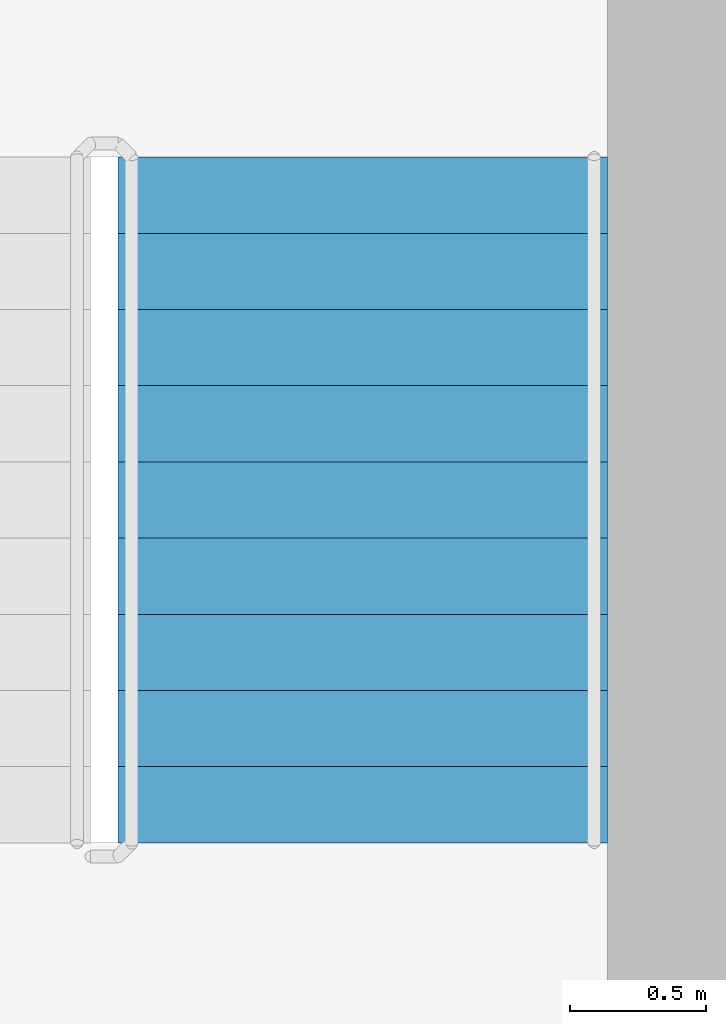
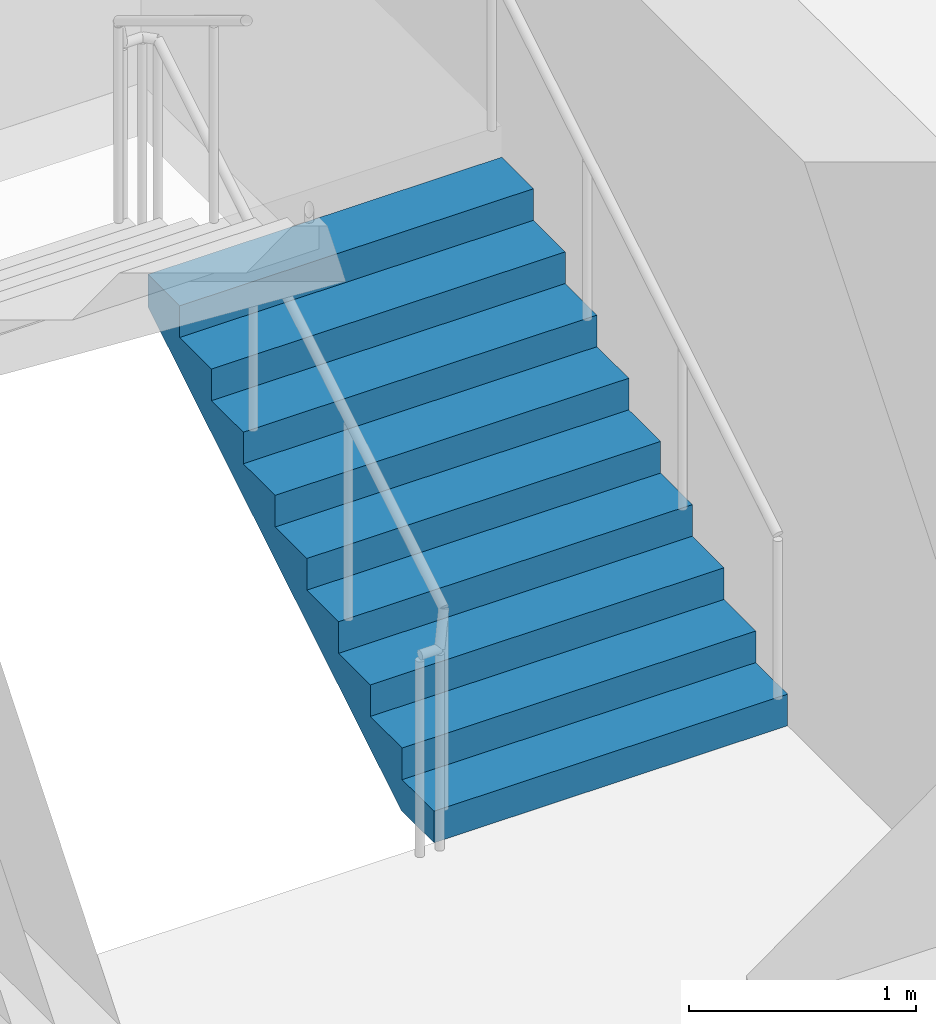
# One storey, part 10 of 17: 1 stair flight, 1 element without a shape of its own.
"""IFC4 building model written with IfcOpenShell, lengths in metres."""

from ifc_helpers import new_model, si_unit, direction, frame, origin, place, context, subcontext, project, spatial, triangles, source, transform, mapped, material, type_object, element, aggregate, save


model = new_model("IFC4")

# Units and contexts
model_context = context("Model", 3, precision=1e-05, world=origin(), true_north=direction((0.0, 1.0)))
body_context = subcontext(model_context, "Body", "Model", "MODEL_VIEW")
ifc_project = project(units=[si_unit("LENGTHUNIT", "METRE"), si_unit("AREAUNIT", "SQUARE_METRE"), si_unit("VOLUMEUNIT", "CUBIC_METRE"), si_unit("PLANEANGLEUNIT", "RADIAN"), si_unit("MASSUNIT", "GRAM", prefix="KILO")], contexts=[model_context])

# Site, building, storey
site_placement = place(None, origin())
site = spatial("IfcSite", under=ifc_project, at=site_placement, CompositionType="ELEMENT")
building_placement = place(site_placement, origin())
building = spatial("IfcBuilding", under=site, at=building_placement, Name="Kilnfold Tower and Market Hall", CompositionType="ELEMENT")
storey_placement = place(building_placement, frame((0.0, 0.0, 305.199951171875)))
storey = spatial("IfcBuildingStorey", under=building, at=storey_placement, Name="L76", CompositionType="ELEMENT", Elevation=305.199951171875)

# Stair, stair flight
ifc_material_1 = material(Name="Concrete C40/50", Category="concrete")
stair_type = type_object("IfcStairType", Name="CORE STAIR 1800", PredefinedType="HALF_TURN_STAIR", material=ifc_material_1)
stair_placement = place(storey_placement, origin())
stair = element("IfcStair", 1, at=stair_placement, inside=storey, type_object=stair_type, Name="L76 ST2", PredefinedType="HALF_TURN_STAIR")
ifc_material_2 = material(Name="Concrete C40/50", Category="concrete")
stair_flight_type = type_object("IfcStairFlightType", Name="CORE STAIR FLIGHT 1800", PredefinedType="STRAIGHT", material=ifc_material_2)
shared_shape = source(origin(), body_context, "Body", "Tessellation", [
    triangles([(0.0, 0.89990234375, 0.0), (0.0, 0.78759765625, 0.0), (0.0, 0.675048828125, 0.0), (0.0, 0.5625, 0.0), (0.0, 0.449951171875, 0.0), (0.0, 0.33740234375, 0.0), (0.0, 0.22509765625, 0.0), (0.0, 0.112548828125, 0.0), (0.0, 0.0, 0.0), (0.0, -0.112548828125, 0.0), (0.0, -0.22509765625, 0.0), (0.0, -0.33740234375, 0.0), (0.0, -0.449951171875, 0.0), (0.0, -0.5625, 0.0), (0.0, -0.675048828125, 0.0), (0.0, -0.78759765625, 0.0), (0.0, -0.89990234375, 0.0), (0.0, 0.89990234375, 0.169921875), (0.0, 0.78759765625, 0.169921875), (0.0, 0.675048828125, 0.169921875), (0.0, 0.5625, 0.169921875), (0.0, 0.449951171875, 0.169921875), (0.0, 0.33740234375, 0.169921875), (0.0, 0.22509765625, 0.169921875), (0.0, 0.112548828125, 0.169921875), (0.0, 0.0, 0.169921875), (0.0, -0.112548828125, 0.169921875), (0.0, -0.22509765625, 0.169921875), (0.0, -0.33740234375, 0.169921875), (0.0, -0.449951171875, 0.169921875), (0.0, -0.5625, 0.169921875), (0.0, -0.675048828125, 0.169921875), (0.0, -0.78759765625, 0.169921875), (0.0, -0.89990234375, 0.169921875), (0.280029296875, 0.89990234375, 0.169921875), (0.280029296875, 0.78759765625, 0.169921875), (0.280029296875, 0.675048828125, 0.169921875), (0.280029296875, 0.5625, 0.169921875), (0.280029296875, 0.449951171875, 0.169921875), (0.280029296875, 0.33740234375, 0.169921875), (0.280029296875, 0.22509765625, 0.169921875), (0.280029296875, 0.112548828125, 0.169921875), (0.280029296875, 0.0, 0.169921875), (0.280029296875, -0.112548828125, 0.169921875), (0.280029296875, -0.22509765625, 0.169921875), (0.280029296875, -0.33740234375, 0.169921875), (0.280029296875, -0.449951171875, 0.169921875), (0.280029296875, -0.5625, 0.169921875), (0.280029296875, -0.675048828125, 0.169921875), (0.280029296875, -0.78759765625, 0.169921875), (0.280029296875, -0.89990234375, 0.169921875), (0.280029296875, 0.89990234375, 0.340087890625), (0.280029296875, 0.78759765625, 0.340087890625), (0.280029296875, 0.675048828125, 0.340087890625), (0.280029296875, 0.5625, 0.340087890625), (0.280029296875, 0.449951171875, 0.340087890625), (0.280029296875, 0.33740234375, 0.340087890625), (0.280029296875, 0.22509765625, 0.340087890625), (0.280029296875, 0.112548828125, 0.340087890625), (0.280029296875, 0.0, 0.340087890625), (0.280029296875, -0.112548828125, 0.340087890625), (0.280029296875, -0.22509765625, 0.340087890625), (0.280029296875, -0.33740234375, 0.340087890625), (0.280029296875, -0.449951171875, 0.340087890625), (0.280029296875, -0.5625, 0.340087890625), (0.280029296875, -0.675048828125, 0.340087890625), (0.280029296875, -0.78759765625, 0.340087890625), (0.280029296875, -0.89990234375, 0.340087890625), (0.56005859375, 0.89990234375, 0.340087890625), (0.56005859375, 0.78759765625, 0.340087890625), (0.56005859375, 0.675048828125, 0.340087890625), (0.56005859375, 0.5625, 0.340087890625), (0.56005859375, 0.449951171875, 0.340087890625), (0.56005859375, 0.33740234375, 0.340087890625), (0.56005859375, 0.22509765625, 0.340087890625), (0.56005859375, 0.112548828125, 0.340087890625), (0.56005859375, 0.0, 0.340087890625), (0.56005859375, -0.112548828125, 0.340087890625), (0.56005859375, -0.22509765625, 0.340087890625), (0.56005859375, -0.33740234375, 0.340087890625), (0.56005859375, -0.449951171875, 0.340087890625), (0.56005859375, -0.5625, 0.340087890625), (0.56005859375, -0.675048828125, 0.340087890625), (0.56005859375, -0.78759765625, 0.340087890625), (0.56005859375, -0.89990234375, 0.340087890625), (0.56005859375, 0.89990234375, 0.510009765625), (0.56005859375, 0.78759765625, 0.510009765625), (0.56005859375, 0.675048828125, 0.510009765625), (0.56005859375, 0.5625, 0.510009765625), (0.56005859375, 0.449951171875, 0.510009765625), (0.56005859375, 0.33740234375, 0.510009765625), (0.56005859375, 0.22509765625, 0.510009765625), (0.56005859375, 0.112548828125, 0.510009765625), (0.56005859375, 0.0, 0.510009765625), (0.56005859375, -0.112548828125, 0.510009765625), (0.56005859375, -0.22509765625, 0.510009765625), (0.56005859375, -0.33740234375, 0.510009765625), (0.56005859375, -0.449951171875, 0.510009765625), (0.56005859375, -0.5625, 0.510009765625), (0.56005859375, -0.675048828125, 0.510009765625), (0.56005859375, -0.78759765625, 0.510009765625), (0.56005859375, -0.89990234375, 0.510009765625), (0.840087890625, 0.89990234375, 0.510009765625), (0.840087890625, 0.78759765625, 0.510009765625), (0.840087890625, 0.675048828125, 0.510009765625), (0.840087890625, 0.5625, 0.510009765625), (0.840087890625, 0.449951171875, 0.510009765625), (0.840087890625, 0.33740234375, 0.510009765625), (0.840087890625, 0.22509765625, 0.510009765625), (0.840087890625, 0.112548828125, 0.510009765625), (0.840087890625, 0.0, 0.510009765625), (0.840087890625, -0.112548828125, 0.510009765625), (0.840087890625, -0.22509765625, 0.510009765625), (0.840087890625, -0.33740234375, 0.510009765625), (0.840087890625, -0.449951171875, 0.510009765625), (0.840087890625, -0.5625, 0.510009765625), (0.840087890625, -0.675048828125, 0.510009765625), (0.840087890625, -0.78759765625, 0.510009765625), (0.840087890625, -0.89990234375, 0.510009765625), (0.840087890625, 0.89990234375, 0.679931640625), (0.840087890625, 0.78759765625, 0.679931640625), (0.840087890625, 0.675048828125, 0.679931640625), (0.840087890625, 0.5625, 0.679931640625), (0.840087890625, 0.449951171875, 0.679931640625), (0.840087890625, 0.33740234375, 0.679931640625), (0.840087890625, 0.22509765625, 0.679931640625), (0.840087890625, 0.112548828125, 0.679931640625), (0.840087890625, 0.0, 0.679931640625), (0.840087890625, -0.112548828125, 0.679931640625), (0.840087890625, -0.22509765625, 0.679931640625), (0.840087890625, -0.33740234375, 0.679931640625), (0.840087890625, -0.449951171875, 0.679931640625), (0.840087890625, -0.5625, 0.679931640625), (0.840087890625, -0.675048828125, 0.679931640625), (0.840087890625, -0.78759765625, 0.679931640625), (0.840087890625, -0.89990234375, 0.679931640625), (1.1201171875, 0.89990234375, 0.679931640625), (1.1201171875, 0.78759765625, 0.679931640625), (1.1201171875, 0.675048828125, 0.679931640625), (1.1201171875, 0.5625, 0.679931640625), (1.1201171875, 0.449951171875, 0.679931640625), (1.1201171875, 0.33740234375, 0.679931640625), (1.1201171875, 0.22509765625, 0.679931640625), (1.1201171875, 0.112548828125, 0.679931640625), (1.1201171875, 0.0, 0.679931640625), (1.1201171875, -0.112548828125, 0.679931640625), (1.1201171875, -0.22509765625, 0.679931640625), (1.1201171875, -0.33740234375, 0.679931640625), (1.1201171875, -0.449951171875, 0.679931640625), (1.1201171875, -0.5625, 0.679931640625), (1.1201171875, -0.675048828125, 0.679931640625), (1.1201171875, -0.78759765625, 0.679931640625), (1.1201171875, -0.89990234375, 0.679931640625), (1.1201171875, 0.89990234375, 0.85009765625), (1.1201171875, 0.78759765625, 0.85009765625), (1.1201171875, 0.675048828125, 0.85009765625), (1.1201171875, 0.5625, 0.85009765625), (1.1201171875, 0.449951171875, 0.85009765625), (1.1201171875, 0.33740234375, 0.85009765625), (1.1201171875, 0.22509765625, 0.85009765625), (1.1201171875, 0.112548828125, 0.85009765625), (1.1201171875, 0.0, 0.85009765625), (1.1201171875, -0.112548828125, 0.85009765625), (1.1201171875, -0.22509765625, 0.85009765625), (1.1201171875, -0.33740234375, 0.85009765625), (1.1201171875, -0.449951171875, 0.85009765625), (1.1201171875, -0.5625, 0.85009765625), (1.1201171875, -0.675048828125, 0.85009765625), (1.1201171875, -0.78759765625, 0.85009765625), (1.1201171875, -0.89990234375, 0.85009765625), (1.39990234375, 0.89990234375, 0.85009765625), (1.39990234375, 0.78759765625, 0.85009765625), (1.39990234375, 0.675048828125, 0.85009765625), (1.39990234375, 0.5625, 0.85009765625), (1.39990234375, 0.449951171875, 0.85009765625), (1.39990234375, 0.33740234375, 0.85009765625), (1.39990234375, 0.22509765625, 0.85009765625), (1.39990234375, 0.112548828125, 0.85009765625), (1.39990234375, 0.0, 0.85009765625), (1.39990234375, -0.112548828125, 0.85009765625), (1.39990234375, -0.22509765625, 0.85009765625), (1.39990234375, -0.33740234375, 0.85009765625), (1.39990234375, -0.449951171875, 0.85009765625), (1.39990234375, -0.5625, 0.85009765625), (1.39990234375, -0.675048828125, 0.85009765625), (1.39990234375, -0.78759765625, 0.85009765625), (1.39990234375, -0.89990234375, 0.85009765625), (1.39990234375, 0.89990234375, 1.02001953125), (1.39990234375, 0.78759765625, 1.02001953125), (1.39990234375, 0.675048828125, 1.02001953125), (1.39990234375, 0.5625, 1.02001953125), (1.39990234375, 0.449951171875, 1.02001953125), (1.39990234375, 0.33740234375, 1.02001953125), (1.39990234375, 0.22509765625, 1.02001953125), (1.39990234375, 0.112548828125, 1.02001953125), (1.39990234375, 0.0, 1.02001953125), (1.39990234375, -0.112548828125, 1.02001953125), (1.39990234375, -0.22509765625, 1.02001953125), (1.39990234375, -0.33740234375, 1.02001953125), (1.39990234375, -0.449951171875, 1.02001953125), (1.39990234375, -0.5625, 1.02001953125), (1.39990234375, -0.675048828125, 1.02001953125), (1.39990234375, -0.78759765625, 1.02001953125), (1.39990234375, -0.89990234375, 1.02001953125), (1.679931640625, 0.89990234375, 1.02001953125), (1.679931640625, 0.78759765625, 1.02001953125), (1.679931640625, 0.675048828125, 1.02001953125), (1.679931640625, 0.5625, 1.02001953125), (1.679931640625, 0.449951171875, 1.02001953125), (1.679931640625, 0.33740234375, 1.02001953125), (1.679931640625, 0.22509765625, 1.02001953125), (1.679931640625, 0.112548828125, 1.02001953125), (1.679931640625, 0.0, 1.02001953125), (1.679931640625, -0.112548828125, 1.02001953125), (1.679931640625, -0.22509765625, 1.02001953125), (1.679931640625, -0.33740234375, 1.02001953125), (1.679931640625, -0.449951171875, 1.02001953125), (1.679931640625, -0.5625, 1.02001953125), (1.679931640625, -0.675048828125, 1.02001953125), (1.679931640625, -0.78759765625, 1.02001953125), (1.679931640625, -0.89990234375, 1.02001953125), (1.679931640625, 0.89990234375, 1.18994140625), (1.679931640625, 0.78759765625, 1.18994140625), (1.679931640625, 0.675048828125, 1.18994140625), (1.679931640625, 0.5625, 1.18994140625), (1.679931640625, 0.449951171875, 1.18994140625), (1.679931640625, 0.33740234375, 1.18994140625), (1.679931640625, 0.22509765625, 1.18994140625), (1.679931640625, 0.112548828125, 1.18994140625), (1.679931640625, 0.0, 1.18994140625), (1.679931640625, -0.112548828125, 1.18994140625), (1.679931640625, -0.22509765625, 1.18994140625), (1.679931640625, -0.33740234375, 1.18994140625), (1.679931640625, -0.449951171875, 1.18994140625), (1.679931640625, -0.5625, 1.18994140625), (1.679931640625, -0.675048828125, 1.18994140625), (1.679931640625, -0.78759765625, 1.18994140625), (1.679931640625, -0.89990234375, 1.18994140625), (1.9599609375, 0.89990234375, 1.18994140625), (1.9599609375, 0.78759765625, 1.18994140625), (1.9599609375, 0.675048828125, 1.18994140625), (1.9599609375, 0.5625, 1.18994140625), (1.9599609375, 0.449951171875, 1.18994140625), (1.9599609375, 0.33740234375, 1.18994140625), (1.9599609375, 0.22509765625, 1.18994140625), (1.9599609375, 0.112548828125, 1.18994140625), (1.9599609375, 0.0, 1.18994140625), (1.9599609375, -0.112548828125, 1.18994140625), (1.9599609375, -0.22509765625, 1.18994140625), (1.9599609375, -0.33740234375, 1.18994140625), (1.9599609375, -0.449951171875, 1.18994140625), (1.9599609375, -0.5625, 1.18994140625), (1.9599609375, -0.675048828125, 1.18994140625), (1.9599609375, -0.78759765625, 1.18994140625), (1.9599609375, -0.89990234375, 1.18994140625), (1.9599609375, 0.89990234375, 1.360107421875), (1.9599609375, 0.78759765625, 1.360107421875), (1.9599609375, 0.675048828125, 1.360107421875), (1.9599609375, 0.5625, 1.360107421875), (1.9599609375, 0.449951171875, 1.360107421875), (1.9599609375, 0.33740234375, 1.360107421875), (1.9599609375, 0.22509765625, 1.360107421875), (1.9599609375, 0.112548828125, 1.360107421875), (1.9599609375, 0.0, 1.360107421875), (1.9599609375, -0.112548828125, 1.360107421875), (1.9599609375, -0.22509765625, 1.360107421875), (1.9599609375, -0.33740234375, 1.360107421875), (1.9599609375, -0.449951171875, 1.360107421875), (1.9599609375, -0.5625, 1.360107421875), (1.9599609375, -0.675048828125, 1.360107421875), (1.9599609375, -0.78759765625, 1.360107421875), (1.9599609375, -0.89990234375, 1.360107421875), (2.239990234375, 0.89990234375, 1.360107421875), (2.239990234375, 0.78759765625, 1.360107421875), (2.239990234375, 0.675048828125, 1.360107421875), (2.239990234375, 0.5625, 1.360107421875), (2.239990234375, 0.449951171875, 1.360107421875), (2.239990234375, 0.33740234375, 1.360107421875), (2.239990234375, 0.22509765625, 1.360107421875), (2.239990234375, 0.112548828125, 1.360107421875), (2.239990234375, 0.0, 1.360107421875), (2.239990234375, -0.112548828125, 1.360107421875), (2.239990234375, -0.22509765625, 1.360107421875), (2.239990234375, -0.33740234375, 1.360107421875), (2.239990234375, -0.449951171875, 1.360107421875), (2.239990234375, -0.5625, 1.360107421875), (2.239990234375, -0.675048828125, 1.360107421875), (2.239990234375, -0.78759765625, 1.360107421875), (2.239990234375, -0.89990234375, 1.360107421875), (2.239990234375, 0.89990234375, 1.530029296875), (2.239990234375, 0.78759765625, 1.530029296875), (2.239990234375, 0.675048828125, 1.530029296875), (2.239990234375, 0.5625, 1.530029296875), (2.239990234375, 0.449951171875, 1.530029296875), (2.239990234375, 0.33740234375, 1.530029296875), (2.239990234375, 0.22509765625, 1.530029296875), (2.239990234375, 0.112548828125, 1.530029296875), (2.239990234375, 0.0, 1.530029296875), (2.239990234375, -0.112548828125, 1.530029296875), (2.239990234375, -0.22509765625, 1.530029296875), (2.239990234375, -0.33740234375, 1.530029296875), (2.239990234375, -0.449951171875, 1.530029296875), (2.239990234375, -0.5625, 1.530029296875), (2.239990234375, -0.675048828125, 1.530029296875), (2.239990234375, -0.78759765625, 1.530029296875), (2.239990234375, -0.89990234375, 1.530029296875), (2.52001953125, 0.89990234375, 1.530029296875), (2.52001953125, 0.78759765625, 1.530029296875), (2.52001953125, 0.675048828125, 1.530029296875), (2.52001953125, 0.5625, 1.530029296875), (2.52001953125, 0.449951171875, 1.530029296875), (2.52001953125, 0.33740234375, 1.530029296875), (2.52001953125, 0.22509765625, 1.530029296875), (2.52001953125, 0.112548828125, 1.530029296875), (2.52001953125, 0.0, 1.530029296875), (2.52001953125, -0.112548828125, 1.530029296875), (2.52001953125, -0.22509765625, 1.530029296875), (2.52001953125, -0.33740234375, 1.530029296875), (2.52001953125, -0.449951171875, 1.530029296875), (2.52001953125, -0.5625, 1.530029296875), (2.52001953125, -0.675048828125, 1.530029296875), (2.52001953125, -0.78759765625, 1.530029296875), (2.52001953125, -0.89990234375, 1.530029296875), (2.52001953125, 0.89990234375, 1.354736328125), (2.52001953125, 0.78759765625, 1.354736328125), (2.52001953125, 0.675048828125, 1.354736328125), (2.52001953125, 0.5625, 1.354736328125), (2.52001953125, 0.449951171875, 1.354736328125), (2.52001953125, 0.33740234375, 1.354736328125), (2.52001953125, 0.22509765625, 1.354736328125), (2.52001953125, 0.112548828125, 1.354736328125), (2.52001953125, 0.0, 1.354736328125), (2.52001953125, -0.112548828125, 1.354736328125), (2.52001953125, -0.22509765625, 1.354736328125), (2.52001953125, -0.33740234375, 1.354736328125), (2.52001953125, -0.449951171875, 1.354736328125), (2.52001953125, -0.5625, 1.354736328125), (2.52001953125, -0.675048828125, 1.354736328125), (2.52001953125, -0.78759765625, 1.354736328125), (2.52001953125, -0.89990234375, 1.354736328125), (0.288818359375, 0.89990234375, 0.0), (0.288818359375, 0.78759765625, 0.0), (0.288818359375, 0.675048828125, 0.0), (0.288818359375, 0.5625, 0.0), (0.288818359375, 0.449951171875, 0.0), (0.288818359375, 0.33740234375, 0.0), (0.288818359375, 0.22509765625, 0.0), (0.288818359375, 0.112548828125, 0.0), (0.288818359375, 0.0, 0.0), (0.288818359375, -0.112548828125, 0.0), (0.288818359375, -0.22509765625, 0.0), (0.288818359375, -0.33740234375, 0.0), (0.288818359375, -0.449951171875, 0.0), (0.288818359375, -0.5625, 0.0), (0.288818359375, -0.675048828125, 0.0), (0.288818359375, -0.78759765625, 0.0), (0.288818359375, -0.89990234375, 0.0)], [[1, 324, 341], [17, 357, 340], [324, 290, 307], [340, 323, 306], [324, 273, 290], [340, 306, 289], [324, 256, 273], [340, 289, 272], [324, 239, 256], [340, 272, 255], [239, 205, 222], [255, 238, 221], [324, 205, 239], [340, 255, 221], [205, 171, 188], [221, 204, 187], [324, 171, 205], [340, 221, 187], [171, 137, 154], [187, 170, 153], [324, 137, 171], [340, 187, 153], [137, 103, 120], [153, 136, 119], [324, 103, 137], [340, 153, 119], [103, 69, 86], [119, 102, 85], [324, 69, 103], [340, 119, 85], [69, 35, 52], [85, 68, 51], [324, 35, 69], [340, 85, 51], [1, 35, 324], [17, 340, 51], [35, 1, 18], [51, 34, 17], [1, 19, 18], [1, 2, 19], [2, 20, 19], [2, 3, 20], [3, 21, 20], [3, 4, 21], [4, 22, 21], [4, 5, 22], [5, 23, 22], [5, 6, 23], [6, 24, 23], [6, 7, 24], [7, 25, 24], [7, 8, 25], [8, 26, 25], [8, 9, 26], [9, 27, 26], [9, 10, 27], [10, 28, 27], [10, 11, 28], [11, 29, 28], [11, 12, 29], [12, 30, 29], [12, 13, 30], [13, 31, 30], [13, 14, 31], [14, 32, 31], [14, 15, 32], [15, 33, 32], [15, 16, 33], [16, 34, 33], [16, 17, 34], [18, 36, 35], [18, 19, 36], [19, 37, 36], [19, 20, 37], [20, 38, 37], [20, 21, 38], [21, 39, 38], [21, 22, 39], [22, 40, 39], [22, 23, 40], [23, 41, 40], [23, 24, 41], [24, 42, 41], [24, 25, 42], [25, 43, 42], [25, 26, 43], [26, 44, 43], [26, 27, 44], [27, 45, 44], [27, 28, 45], [28, 46, 45], [28, 29, 46], [29, 47, 46], [29, 30, 47], [30, 48, 47], [30, 31, 48], [31, 49, 48], [31, 32, 49], [32, 50, 49], [32, 33, 50], [33, 51, 50], [33, 34, 51], [35, 53, 52], [35, 36, 53], [36, 54, 53], [36, 37, 54], [37, 55, 54], [37, 38, 55], [38, 56, 55], [38, 39, 56], [39, 57, 56], [39, 40, 57], [40, 58, 57], [40, 41, 58], [41, 59, 58], [41, 42, 59], [42, 60, 59], [42, 43, 60], [43, 61, 60], [43, 44, 61], [44, 62, 61], [44, 45, 62], [45, 63, 62], [45, 46, 63], [46, 64, 63], [46, 47, 64], [47, 65, 64], [47, 48, 65], [48, 66, 65], [48, 49, 66], [49, 67, 66], [49, 50, 67], [50, 68, 67], [50, 51, 68], [52, 70, 69], [52, 53, 70], [53, 71, 70], [53, 54, 71], [54, 72, 71], [54, 55, 72], [55, 73, 72], [55, 56, 73], [56, 74, 73], [56, 57, 74], [57, 75, 74], [57, 58, 75], [58, 76, 75], [58, 59, 76], [59, 77, 76], [59, 60, 77], [60, 78, 77], [60, 61, 78], [61, 79, 78], [61, 62, 79], [62, 80, 79], [62, 63, 80], [63, 81, 80], [63, 64, 81], [64, 82, 81], [64, 65, 82], [65, 83, 82], [65, 66, 83], [66, 84, 83], [66, 67, 84], [67, 85, 84], [67, 68, 85], [69, 87, 86], [69, 70, 87], [70, 88, 87], [70, 71, 88], [71, 89, 88], [71, 72, 89], [72, 90, 89], [72, 73, 90], [73, 91, 90], [73, 74, 91], [74, 92, 91], [74, 75, 92], [75, 93, 92], [75, 76, 93], [76, 94, 93], [76, 77, 94], [77, 95, 94], [77, 78, 95], [78, 96, 95], [78, 79, 96], [79, 97, 96], [79, 80, 97], [80, 98, 97], [80, 81, 98], [81, 99, 98], [81, 82, 99], [82, 100, 99], [82, 83, 100], [83, 101, 100], [83, 84, 101], [84, 102, 101], [84, 85, 102], [86, 104, 103], [86, 87, 104], [87, 105, 104], [87, 88, 105], [88, 106, 105], [88, 89, 106], [89, 107, 106], [89, 90, 107], [90, 108, 107], [90, 91, 108], [91, 109, 108], [91, 92, 109], [92, 110, 109], [92, 93, 110], [93, 111, 110], [93, 94, 111], [94, 112, 111], [94, 95, 112], [95, 113, 112], [95, 96, 113], [96, 114, 113], [96, 97, 114], [97, 115, 114], [97, 98, 115], [98, 116, 115], [98, 99, 116], [99, 117, 116], [99, 100, 117], [100, 118, 117], [100, 101, 118], [101, 119, 118], [101, 102, 119], [103, 121, 120], [103, 104, 121], [104, 122, 121], [104, 105, 122], [105, 123, 122], [105, 106, 123], [106, 124, 123], [106, 107, 124], [107, 125, 124], [107, 108, 125], [108, 126, 125], [108, 109, 126], [109, 127, 126], [109, 110, 127], [110, 128, 127], [110, 111, 128], [111, 129, 128], [111, 112, 129], [112, 130, 129], [112, 113, 130], [113, 131, 130], [113, 114, 131], [114, 132, 131], [114, 115, 132], [115, 133, 132], [115, 116, 133], [116, 134, 133], [116, 117, 134], [117, 135, 134], [117, 118, 135], [118, 136, 135], [118, 119, 136], [120, 138, 137], [120, 121, 138], [121, 139, 138], [121, 122, 139], [122, 140, 139], [122, 123, 140], [123, 141, 140], [123, 124, 141], [124, 142, 141], [124, 125, 142], [125, 143, 142], [125, 126, 143], [126, 144, 143], [126, 127, 144], [127, 145, 144], [127, 128, 145], [128, 146, 145], [128, 129, 146], [129, 147, 146], [129, 130, 147], [130, 148, 147], [130, 131, 148], [131, 149, 148], [131, 132, 149], [132, 150, 149], [132, 133, 150], [133, 151, 150], [133, 134, 151], [134, 152, 151], [134, 135, 152], [135, 153, 152], [135, 136, 153], [137, 155, 154], [137, 138, 155], [138, 156, 155], [138, 139, 156], [139, 157, 156], [139, 140, 157], [140, 158, 157], [140, 141, 158], [141, 159, 158], [141, 142, 159], [142, 160, 159], [142, 143, 160], [143, 161, 160], [143, 144, 161], [144, 162, 161], [144, 145, 162], [145, 163, 162], [145, 146, 163], [146, 164, 163], [146, 147, 164], [147, 165, 164], [147, 148, 165], [148, 166, 165], [148, 149, 166], [149, 167, 166], [149, 150, 167], [150, 168, 167], [150, 151, 168], [151, 169, 168], [151, 152, 169], [152, 170, 169], [152, 153, 170], [154, 172, 171], [154, 155, 172], [155, 173, 172], [155, 156, 173], [156, 174, 173], [156, 157, 174], [157, 175, 174], [157, 158, 175], [158, 176, 175], [158, 159, 176], [159, 177, 176], [159, 160, 177], [160, 178, 177], [160, 161, 178], [161, 179, 178], [161, 162, 179], [162, 180, 179], [162, 163, 180], [163, 181, 180], [163, 164, 181], [164, 182, 181], [164, 165, 182], [165, 183, 182], [165, 166, 183], [166, 184, 183], [166, 167, 184], [167, 185, 184], [167, 168, 185], [168, 186, 185], [168, 169, 186], [169, 187, 186], [169, 170, 187], [171, 189, 188], [171, 172, 189], [172, 190, 189], [172, 173, 190], [173, 191, 190], [173, 174, 191], [174, 192, 191], [174, 175, 192], [175, 193, 192], [175, 176, 193], [176, 194, 193], [176, 177, 194], [177, 195, 194], [177, 178, 195], [178, 196, 195], [178, 179, 196], [179, 197, 196], [179, 180, 197], [180, 198, 197], [180, 181, 198], [181, 199, 198], [181, 182, 199], [182, 200, 199], [182, 183, 200], [183, 201, 200], [183, 184, 201], [184, 202, 201], [184, 185, 202], [185, 203, 202], [185, 186, 203], [186, 204, 203], [186, 187, 204], [188, 206, 205], [188, 189, 206], [189, 207, 206], [189, 190, 207], [190, 208, 207], [190, 191, 208], [191, 209, 208], [191, 192, 209], [192, 210, 209], [192, 193, 210], [193, 211, 210], [193, 194, 211], [194, 212, 211], [194, 195, 212], [195, 213, 212], [195, 196, 213], [196, 214, 213], [196, 197, 214], [197, 215, 214], [197, 198, 215], [198, 216, 215], [198, 199, 216], [199, 217, 216], [199, 200, 217], [200, 218, 217], [200, 201, 218], [201, 219, 218], [201, 202, 219], [202, 220, 219], [202, 203, 220], [203, 221, 220], [203, 204, 221], [205, 223, 222], [205, 206, 223], [206, 224, 223], [206, 207, 224], [207, 225, 224], [207, 208, 225], [208, 226, 225], [208, 209, 226], [209, 227, 226], [209, 210, 227], [210, 228, 227], [210, 211, 228], [211, 229, 228], [211, 212, 229], [212, 230, 229], [212, 213, 230], [213, 231, 230], [213, 214, 231], [214, 232, 231], [214, 215, 232], [215, 233, 232], [215, 216, 233], [216, 234, 233], [216, 217, 234], [217, 235, 234], [217, 218, 235], [218, 236, 235], [218, 219, 236], [219, 237, 236], [219, 220, 237], [220, 238, 237], [220, 221, 238], [222, 240, 239], [222, 223, 240], [223, 241, 240], [223, 224, 241], [224, 242, 241], [224, 225, 242], [225, 243, 242], [225, 226, 243], [226, 244, 243], [226, 227, 244], [227, 245, 244], [227, 228, 245], [228, 246, 245], [228, 229, 246], [229, 247, 246], [229, 230, 247], [230, 248, 247], [230, 231, 248], [231, 249, 248], [231, 232, 249], [232, 250, 249], [232, 233, 250], [233, 251, 250], [233, 234, 251], [234, 252, 251], [234, 235, 252], [235, 253, 252], [235, 236, 253], [236, 254, 253], [236, 237, 254], [237, 255, 254], [237, 238, 255], [239, 257, 256], [239, 240, 257], [240, 258, 257], [240, 241, 258], [241, 259, 258], [241, 242, 259], [242, 260, 259], [242, 243, 260], [243, 261, 260], [243, 244, 261], [244, 262, 261], [244, 245, 262], [245, 263, 262], [245, 246, 263], [246, 264, 263], [246, 247, 264], [247, 265, 264], [247, 248, 265], [248, 266, 265], [248, 249, 266], [249, 267, 266], [249, 250, 267], [250, 268, 267], [250, 251, 268], [251, 269, 268], [251, 252, 269], [252, 270, 269], [252, 253, 270], [253, 271, 270], [253, 254, 271], [254, 272, 271], [254, 255, 272], [256, 274, 273], [256, 257, 274], [257, 275, 274], [257, 258, 275], [258, 276, 275], [258, 259, 276], [259, 277, 276], [259, 260, 277], [260, 278, 277], [260, 261, 278], [261, 279, 278], [261, 262, 279], [262, 280, 279], [262, 263, 280], [263, 281, 280], [263, 264, 281], [264, 282, 281], [264, 265, 282], [265, 283, 282], [265, 266, 283], [266, 284, 283], [266, 267, 284], [267, 285, 284], [267, 268, 285], [268, 286, 285], [268, 269, 286], [269, 287, 286], [269, 270, 287], [270, 288, 287], [270, 271, 288], [271, 289, 288], [271, 272, 289], [273, 291, 290], [273, 274, 291], [274, 292, 291], [274, 275, 292], [275, 293, 292], [275, 276, 293], [276, 294, 293], [276, 277, 294], [277, 295, 294], [277, 278, 295], [278, 296, 295], [278, 279, 296], [279, 297, 296], [279, 280, 297], [280, 298, 297], [280, 281, 298], [281, 299, 298], [281, 282, 299], [282, 300, 299], [282, 283, 300], [283, 301, 300], [283, 284, 301], [284, 302, 301], [284, 285, 302], [285, 303, 302], [285, 286, 303], [286, 304, 303], [286, 287, 304], [287, 305, 304], [287, 288, 305], [288, 306, 305], [288, 289, 306], [290, 308, 307], [290, 291, 308], [291, 309, 308], [291, 292, 309], [292, 310, 309], [292, 293, 310], [293, 311, 310], [293, 294, 311], [294, 312, 311], [294, 295, 312], [295, 313, 312], [295, 296, 313], [296, 314, 313], [296, 297, 314], [297, 315, 314], [297, 298, 315], [298, 316, 315], [298, 299, 316], [299, 317, 316], [299, 300, 317], [300, 318, 317], [300, 301, 318], [301, 319, 318], [301, 302, 319], [302, 320, 319], [302, 303, 320], [303, 321, 320], [303, 304, 321], [304, 322, 321], [304, 305, 322], [305, 323, 322], [305, 306, 323], [307, 325, 324], [307, 308, 325], [308, 326, 325], [308, 309, 326], [309, 327, 326], [309, 310, 327], [310, 328, 327], [310, 311, 328], [311, 329, 328], [311, 312, 329], [312, 330, 329], [312, 313, 330], [313, 331, 330], [313, 314, 331], [314, 332, 331], [314, 315, 332], [315, 333, 332], [315, 316, 333], [316, 334, 333], [316, 317, 334], [317, 335, 334], [317, 318, 335], [318, 336, 335], [318, 319, 336], [319, 337, 336], [319, 320, 337], [320, 338, 337], [320, 321, 338], [321, 339, 338], [321, 322, 339], [322, 340, 339], [322, 323, 340], [324, 342, 341], [324, 325, 342], [325, 343, 342], [325, 326, 343], [326, 344, 343], [326, 327, 344], [327, 345, 344], [327, 328, 345], [328, 346, 345], [328, 329, 346], [329, 347, 346], [329, 330, 347], [330, 348, 347], [330, 331, 348], [331, 349, 348], [331, 332, 349], [332, 350, 349], [332, 333, 350], [333, 351, 350], [333, 334, 351], [334, 352, 351], [334, 335, 352], [335, 353, 352], [335, 336, 353], [336, 354, 353], [336, 337, 354], [337, 355, 354], [337, 338, 355], [338, 356, 355], [338, 339, 356], [339, 357, 356], [339, 340, 357], [341, 2, 1], [341, 342, 2], [342, 3, 2], [342, 343, 3], [343, 4, 3], [343, 344, 4], [344, 5, 4], [344, 345, 5], [345, 6, 5], [345, 346, 6], [346, 7, 6], [346, 347, 7], [347, 8, 7], [347, 348, 8], [348, 9, 8], [348, 349, 9], [349, 10, 9], [349, 350, 10], [350, 11, 10], [350, 351, 11], [351, 12, 11], [351, 352, 12], [352, 13, 12], [352, 353, 13], [353, 14, 13], [353, 354, 14], [354, 15, 14], [354, 355, 15], [355, 16, 15], [355, 356, 16], [356, 17, 16], [356, 357, 17]], closed=True),
])
stair_flight_placement = place(storey_placement, frame((16.199951171875, 10.800048828125, 0.0), z_axis=(0.0, 0.0, 1.0), x_axis=(0.0, 1.0, 0.0)))
stair_flight = element("IfcStairFlight", 2, at=stair_flight_placement, type_object=stair_flight_type, Name="ST2 flight 1", NumberOfRisers=10, NumberOfTreads=9, PredefinedType="STRAIGHT", RiserHeight=0.17, TreadLength=0.28, context=body_context, shape_type="MappedRepresentation", body=[
    mapped(shared_shape, transform((0.0, 0.0, 0.0))),
])
aggregate(stair, [stair_flight])

save(model, "model.ifc")
